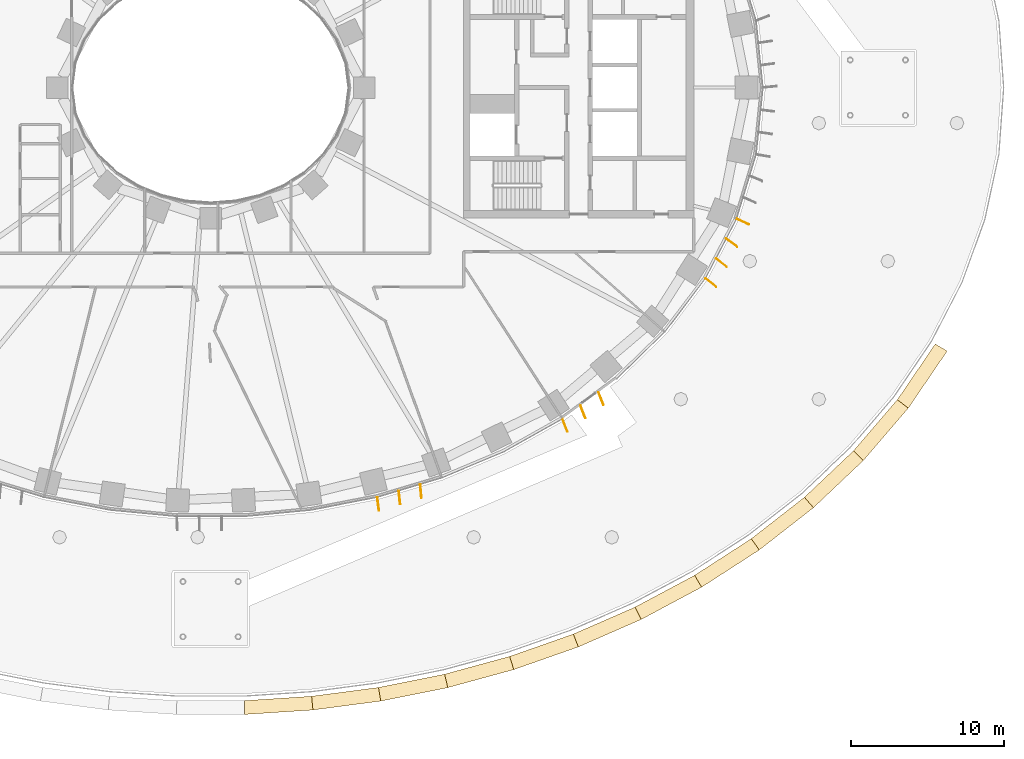
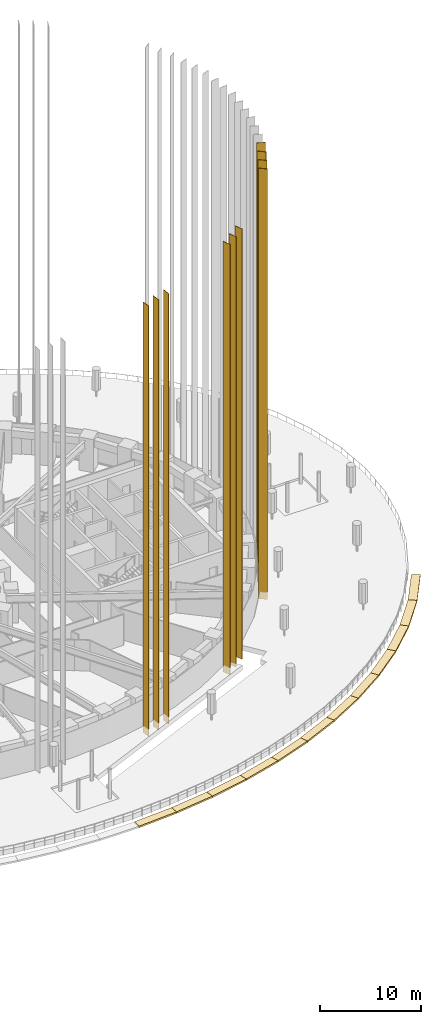
# One storey, part 27 of 30: 22 coverings.
"""IFC4 building model written with IfcOpenShell, lengths in metres."""

from ifc_helpers import new_model, si_unit, direction, frame, origin, origin_2d, place, context, subcontext, project, spatial, polyline, rectangle, outline, extrude, material, material_profile, profile_set, type_object, element, save


model = new_model("IFC4")

# Units and contexts
model_context = context("Model", 3, precision=1e-05, world=origin(), true_north=direction((0.0, 1.0)))
body_context = subcontext(model_context, "Body", "Model", "MODEL_VIEW")
ifc_project = project(units=[si_unit("LENGTHUNIT", "METRE"), si_unit("AREAUNIT", "SQUARE_METRE"), si_unit("VOLUMEUNIT", "CUBIC_METRE"), si_unit("PLANEANGLEUNIT", "RADIAN"), si_unit("MASSUNIT", "GRAM", prefix="KILO")], contexts=[model_context])

# Site, building, storey
site_placement = place(None, origin())
site = spatial("IfcSite", under=ifc_project, at=site_placement, CompositionType="ELEMENT")
building_placement = place(site_placement, origin())
building = spatial("IfcBuilding", under=site, at=building_placement, Name="Noorbagh Ring Tower", CompositionType="ELEMENT")
storey_placement = place(building_placement, frame((0.0, 0.0, 30.5)))
storey = spatial("IfcBuildingStorey", under=building, at=storey_placement, Name="L05", CompositionType="ELEMENT", Elevation=30.5)

# Coverings
ifc_material_1 = material(Name="Aluminium 6063-T6 black anodised", Category="aluminium")
ifc_material_profile = material_profile(ifc_material_1, rectangle(XDim=0.89990234375, YDim=0.050048828125, at=origin_2d()), Name="900x50")
ifc_profile_set = profile_set([ifc_material_profile], Name="Aluminium 6063-T6 black anodised")
covering_type_1 = type_object("IfcCoveringType", Name="ENV-FIN", PredefinedType="CLADDING", material=ifc_profile_set)
for number, where, z_axis, x_axis, name in (
    (1, (10.923583984375, -27.14501953125, -0.284912109375), (0.0, 0.0, 1.0), (0.126759493419, -0.99193348105, 0.0), "Fin F38 1 L05-L17"),
    (2, (12.31591796875, -26.72509765625, -0.284912109375), (0.0, 0.0, 1.0), (0.109101232004, -0.994030643982, 0.0), "Fin F38 2 L05-L17"),
    (3, (13.708740234375, -26.304931640625, -0.284912109375), (0.0, 0.0, 1.0), (0.092918421481, -0.995673725148, 0.0), "Fin F38 3 L05-L17"),
    (4, (23.100830078125, -22.00830078125, -0.284912109375), (0.0, 0.0, 1.0), (0.365038143381, -0.930992563814, 0.0), "Fin F41 1 L05-L17"),
    (5, (24.277587890625, -21.1416015625, -0.284912109375), (0.0, 0.0, 1.0), (0.364533046139, -0.931190452202, 0.0), "Fin F41 2 L05-L17"),
    (6, (25.455078125, -20.2744140625, -0.284912109375), (0.0, 0.0, 1.0), (0.366046969104, -0.930596376745, 0.0), "Fin F41 3 L05-L17"),
    (7, (32.612060546875, -12.71728515625, -0.284912109375), (0.0, 0.0, 1.0), (0.782643528987, -0.622470165176, 0.0), "Fin F44 1 L05-L17"),
    (8, (33.291748046875, -11.415771484375, -0.284912109375), (0.0, 0.0, 1.0), (0.793137535147, -0.609042568579, 0.0), "Fin F44 2 L05-L17"),
    (9, (33.9716796875, -10.113525390625, -0.284912109375), (0.0, 0.0, 1.0), (0.804260303023, -0.59427717858, 0.0), "Fin F44 3 L05-L17"),
    (10, (34.693359375, -8.738525390625, -0.284912109375), (0.0, 0.0, 1.0), (0.907911558545, -0.419161784827, 0.0), "Fin F45 1 L05-L17"),
):
    element("IfcCovering", number, at=place(storey_placement, frame(where, z_axis=z_axis, x_axis=x_axis)), inside=storey, type_object=covering_type_1, Name=name, ObjectType="FIN", PredefinedType="CLADDING", context=body_context, shape_type="SweptSolid", body=[
        extrude(rectangle(XDim=0.89990234375, YDim=0.050048828125, at=origin_2d()), origin(), (0.0, 0.0, 1.0), 51.969970703125),
    ])
ifc_material_2 = material(Name="Red sandstone eave", Category="masonry")
covering_type_2 = type_object("IfcCoveringType", Name="STY-CHHAJJA", PredefinedType="USERDEFINED", material=ifc_material_2)
covering_1_placement = place(storey_placement, frame((0.0, 0.0, -0.199951171875)))
element("IfcCovering", 11, at=covering_1_placement, inside=storey, type_object=covering_type_2, Name="Chhajja eave", ObjectType="CHHAJJA", PredefinedType="USERDEFINED", context=body_context, shape_type="SweptSolid", body=[
    extrude(outline(polyline([(2.198486328125, -39.964111328125), (6.586181640625, -39.677978515625), (6.67431640625, -40.573974609375), (2.227783203125, -40.8642578125), (2.198486328125, -39.964111328125)])), origin(), (0.0, 0.0, 1.0), 0.199951171875),
])
covering_2_placement = place(storey_placement, frame((0.0, 0.0, -0.199951171875)))
element("IfcCovering", 12, at=covering_2_placement, inside=storey, type_object=covering_type_2, Name="Chhajja eave", ObjectType="CHHAJJA", PredefinedType="USERDEFINED", context=body_context, shape_type="SweptSolid", body=[
    extrude(outline(polyline([(6.586181640625, -39.677978515625), (10.945556640625, -39.103759765625), (11.093017578125, -39.9921875), (6.67431640625, -40.573974609375), (6.586181640625, -39.677978515625)])), origin(), (0.0, 0.0, 1.0), 0.199951171875),
])
covering_3_placement = place(storey_placement, frame((0.0, 0.0, -0.199951171875)))
element("IfcCovering", 13, at=covering_3_placement, inside=storey, type_object=covering_type_2, Name="Chhajja eave", ObjectType="CHHAJJA", PredefinedType="USERDEFINED", context=body_context, shape_type="SweptSolid", body=[
    extrude(outline(polyline([(10.945556640625, -39.103759765625), (15.2568359375, -38.239501953125), (15.464111328125, -39.115966796875), (11.093017578125, -39.9921875), (10.945556640625, -39.103759765625)])), origin(), (0.0, 0.0, 1.0), 0.199951171875),
])
covering_4_placement = place(storey_placement, frame((0.0, 0.0, -0.199951171875)))
element("IfcCovering", 14, at=covering_4_placement, inside=storey, type_object=covering_type_2, Name="Chhajja eave", ObjectType="CHHAJJA", PredefinedType="USERDEFINED", context=body_context, shape_type="SweptSolid", body=[
    extrude(outline(polyline([(15.2568359375, -38.239501953125), (19.49853515625, -37.081298828125), (19.7666015625, -37.941162109375), (15.464111328125, -39.115966796875), (15.2568359375, -38.239501953125)])), origin(), (0.0, 0.0, 1.0), 0.199951171875),
])
covering_5_placement = place(storey_placement, frame((0.0, 0.0, -0.199951171875)))
element("IfcCovering", 15, at=covering_5_placement, inside=storey, type_object=covering_type_2, Name="Chhajja eave", ObjectType="CHHAJJA", PredefinedType="USERDEFINED", context=body_context, shape_type="SweptSolid", body=[
    extrude(outline(polyline([(19.49853515625, -37.081298828125), (23.647216796875, -35.624755859375), (23.976806640625, -36.462890625), (19.7666015625, -37.941162109375), (19.49853515625, -37.081298828125)])), origin(), (0.0, 0.0, 1.0), 0.199951171875),
])
covering_6_placement = place(storey_placement, frame((0.0, 0.0, -0.199951171875)))
element("IfcCovering", 16, at=covering_6_placement, inside=storey, type_object=covering_type_2, Name="Chhajja eave", ObjectType="CHHAJJA", PredefinedType="USERDEFINED", context=body_context, shape_type="SweptSolid", body=[
    extrude(outline(polyline([(23.647216796875, -35.624755859375), (27.67578125, -33.864013671875), (28.068603515625, -34.674560546875), (23.976806640625, -36.462890625), (23.647216796875, -35.624755859375)])), origin(), (0.0, 0.0, 1.0), 0.199951171875),
])
covering_7_placement = place(storey_placement, frame((0.0, 0.0, -0.199951171875)))
element("IfcCovering", 17, at=covering_7_placement, inside=storey, type_object=covering_type_2, Name="Chhajja eave", ObjectType="CHHAJJA", PredefinedType="USERDEFINED", context=body_context, shape_type="SweptSolid", body=[
    extrude(outline(polyline([(27.67578125, -33.864013671875), (31.5546875, -31.793701171875), (32.011474609375, -32.56982421875), (28.068603515625, -34.674560546875), (27.67578125, -33.864013671875)])), origin(), (0.0, 0.0, 1.0), 0.199951171875),
])
covering_8_placement = place(storey_placement, frame((0.0, 0.0, -0.199951171875)))
element("IfcCovering", 18, at=covering_8_placement, inside=storey, type_object=covering_type_2, Name="Chhajja eave", ObjectType="CHHAJJA", PredefinedType="USERDEFINED", context=body_context, shape_type="SweptSolid", body=[
    extrude(outline(polyline([(31.5546875, -31.793701171875), (35.247802734375, -29.408203125), (35.769775390625, -30.142578125), (32.011474609375, -32.56982421875), (31.5546875, -31.793701171875)])), origin(), (0.0, 0.0, 1.0), 0.199951171875),
])
covering_9_placement = place(storey_placement, frame((0.0, 0.0, -0.199951171875)))
element("IfcCovering", 19, at=covering_9_placement, inside=storey, type_object=covering_type_2, Name="Chhajja eave", ObjectType="CHHAJJA", PredefinedType="USERDEFINED", context=body_context, shape_type="SweptSolid", body=[
    extrude(outline(polyline([(35.247802734375, -29.408203125), (38.71435546875, -26.70458984375), (39.3017578125, -27.3876953125), (35.769775390625, -30.142578125), (35.247802734375, -29.408203125)])), origin(), (0.0, 0.0, 1.0), 0.199951171875),
])
covering_10_placement = place(storey_placement, frame((0.0, 0.0, -0.199951171875)))
element("IfcCovering", 20, at=covering_10_placement, inside=storey, type_object=covering_type_2, Name="Chhajja eave", ObjectType="CHHAJJA", PredefinedType="USERDEFINED", context=body_context, shape_type="SweptSolid", body=[
    extrude(outline(polyline([(38.71435546875, -26.70458984375), (41.906494140625, -23.682373046875), (42.55908203125, -24.3037109375), (39.3017578125, -27.3876953125), (38.71435546875, -26.70458984375)])), origin(), (0.0, 0.0, 1.0), 0.199951171875),
])
covering_11_placement = place(storey_placement, frame((0.0, 0.0, -0.199951171875)))
element("IfcCovering", 21, at=covering_11_placement, inside=storey, type_object=covering_type_2, Name="Chhajja eave", ObjectType="CHHAJJA", PredefinedType="USERDEFINED", context=body_context, shape_type="SweptSolid", body=[
    extrude(outline(polyline([(41.906494140625, -23.682373046875), (44.77001953125, -20.346923828125), (45.485595703125, -20.89501953125), (42.55908203125, -24.3037109375), (41.906494140625, -23.682373046875)])), origin(), (0.0, 0.0, 1.0), 0.199951171875),
])
covering_12_placement = place(storey_placement, frame((0.0, 0.0, -0.199951171875)))
element("IfcCovering", 22, at=covering_12_placement, inside=storey, type_object=covering_type_2, Name="Chhajja eave", ObjectType="CHHAJJA", PredefinedType="USERDEFINED", context=body_context, shape_type="SweptSolid", body=[
    extrude(outline(polyline([(44.77001953125, -20.346923828125), (47.2431640625, -16.71337890625), (48.017578125, -17.175048828125), (45.485595703125, -20.89501953125), (44.77001953125, -20.346923828125)])), origin(), (0.0, 0.0, 1.0), 0.199951171875),
])

save(model, "model.ifc")
